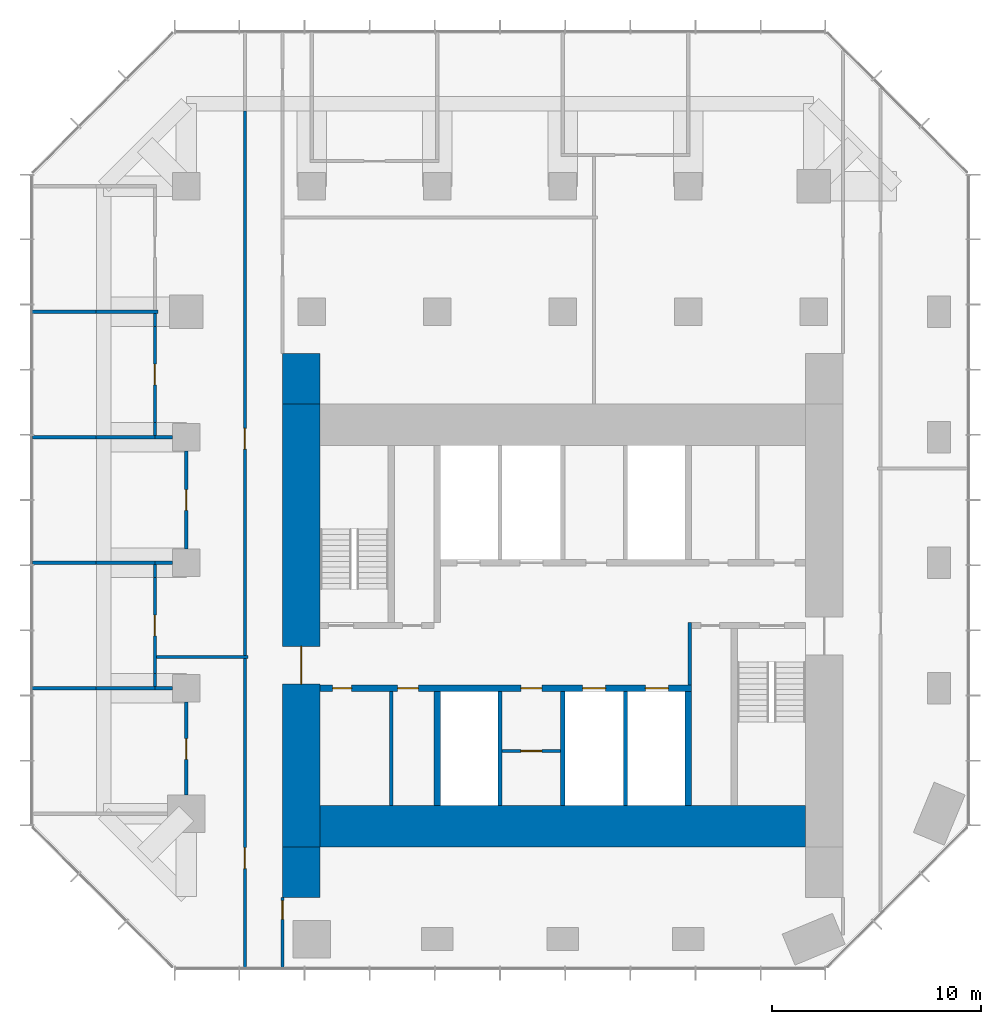
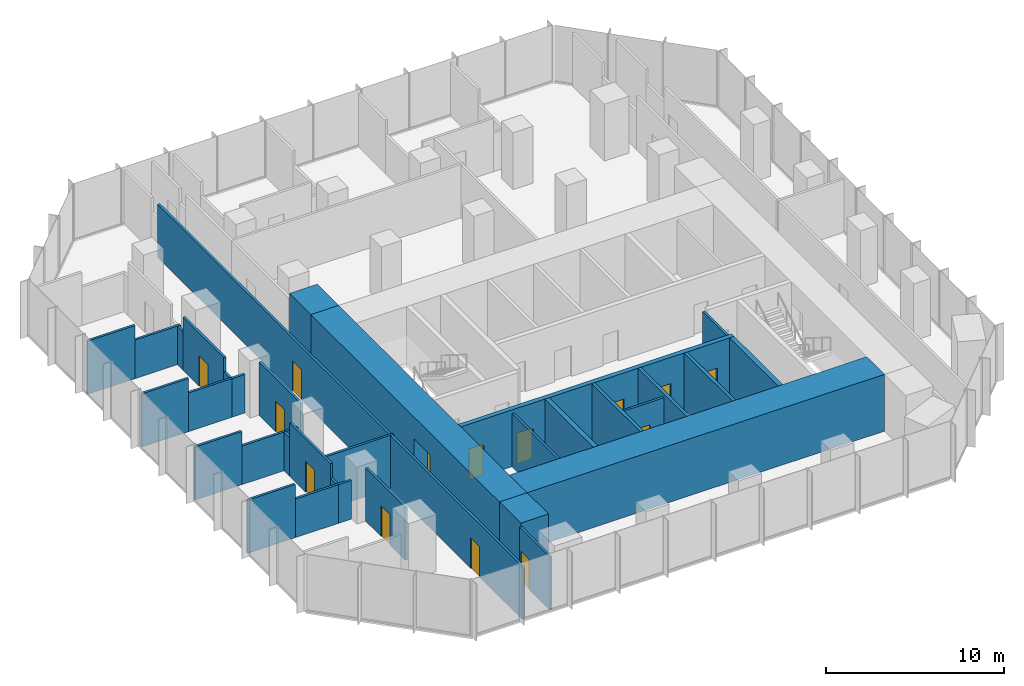
# One storey, part 8 of 11: 36 walls, 14 doors, 14 openings.
"""IFC4 building model written with IfcOpenShell, lengths in metres."""

import ifcopenshell
import ifcopenshell.guid

model = None  # the IFC model being written
_history = None  # IfcOwnerHistory: only IFC2X3 demands one
_inside = {}  # id of a spatial element -> (the spatial element, [elements in it])
_under = {}  # id of a project, library or spatial element -> (it, [spatial elements below it])
_declared = {}  # id of a project -> (the project, [libraries it declares])
_typed = {}  # id of a type object -> (the type object, [elements of that type])
_made_of = {}  # id of a material, layer set ... -> (it, [elements and type objects made of it])


def new_model(schema):
    """Start an empty IFC model of exactly this schema.

    Asked for "IFC4X3", IfcOpenShell would pick the latest addendum, in which some entities
    have other attributes; the version numbers below select the first issue.
    IFC2X3 requires an IfcOwnerHistory on every rooted entity: one is made here for all.
    """
    global model, _history
    if schema == "IFC4X3":
        model = ifcopenshell.file(schema_version=(4, 3, 0, 0))
    else:
        model = ifcopenshell.file(schema=schema)
    _inside.clear()
    _under.clear()
    _declared.clear()
    _typed.clear()
    _made_of.clear()
    _history = None
    if model.schema == "IFC2X3":
        org = make("IfcOrganization", Name="unknown")
        user = make(
            "IfcPersonAndOrganization",
            ThePerson=make("IfcPerson", FamilyName="unknown"),
            TheOrganization=org,
        )
        app = make(
            "IfcApplication",
            ApplicationDeveloper=org,
            Version="unknown",
            ApplicationFullName="unknown",
            ApplicationIdentifier="unknown",
        )
        _history = make(
            "IfcOwnerHistory",
            OwningUser=user,
            OwningApplication=app,
            ChangeAction="ADDED",
            CreationDate=0,
        )
    return model


def make(cls, **values):
    """One entity of the class cls with the attributes given. An attribute that is None is left unset."""
    return model.create_entity(
        cls, **{name: value for name, value in values.items() if value is not None}
    )


def rooted(cls, **values):
    """An entity with a GlobalId (a new one), such as an element, a storey or a relation."""
    return make(cls, GlobalId=ifcopenshell.guid.new(), OwnerHistory=_history, **values)


def si_unit(unit_type, name, prefix=None):
    """IfcSIUnit, for example si_unit("LENGTHUNIT", "METRE", prefix="MILLI")."""
    return make("IfcSIUnit", UnitType=unit_type, Prefix=prefix, Name=name)


def assignment(units):
    """IfcUnitAssignment: the units of a project."""
    return None if units is None else make("IfcUnitAssignment", Units=units)


def point(xyz):
    """IfcCartesianPoint."""
    return None if xyz is None else make("IfcCartesianPoint", Coordinates=xyz)


def direction(xyz):
    """IfcDirection."""
    return None if xyz is None else make("IfcDirection", DirectionRatios=xyz)


def frame(location, z_axis=None, x_axis=None):
    """IfcAxis2Placement3D, a coordinate frame: its origin and axes. An axis left out is left unset."""
    return make(
        "IfcAxis2Placement3D",
        Location=point(location),
        Axis=direction(z_axis),
        RefDirection=direction(x_axis),
    )


def frame_2d(location, x_axis=None):
    """IfcAxis2Placement2D, a coordinate frame in the plane: its origin and x axis."""
    return make(
        "IfcAxis2Placement2D", Location=point(location), RefDirection=direction(x_axis)
    )


def origin():
    """The frame at (0, 0, 0) with its axes left unset."""
    return frame((0.0, 0.0, 0.0))


def place(relative_to, where):
    """IfcLocalPlacement: puts the frame where relative to a parent placement (None: the world)."""
    return make(
        "IfcLocalPlacement", PlacementRelTo=relative_to, RelativePlacement=where
    )


def context(
    kind, dimensions, precision=None, world=None, true_north=None, identifier=None
):
    """IfcGeometricRepresentationContext, for example the 3D "Model" context."""
    return make(
        "IfcGeometricRepresentationContext",
        ContextIdentifier=identifier,
        ContextType=kind,
        CoordinateSpaceDimension=dimensions,
        Precision=precision,
        WorldCoordinateSystem=world,
        TrueNorth=true_north,
    )


def subcontext(parent, identifier, kind, view, scale=None):
    """IfcGeometricRepresentationSubContext, for example "Body" below "Model"."""
    return make(
        "IfcGeometricRepresentationSubContext",
        ContextIdentifier=identifier,
        ContextType=kind,
        ParentContext=parent,
        TargetScale=scale,
        TargetView=view,
    )


def project(units=None, contexts=None):
    """IfcProject with its units and contexts."""
    return rooted(
        "IfcProject",
        Name="project",
        RepresentationContexts=contexts,
        UnitsInContext=assignment(units),
    )


def spatial(cls, under=None, at=None, **own):
    """A site, building, storey or space (cls), placed at a placement, below another one or the project."""
    s = rooted(cls, ObjectPlacement=at, **own)
    if under is not None:
        _under.setdefault(under.id(), (under, []))[1].append(s)
    return s


def profile(cls, at=None, kind="AREA", **sizes):
    """A parametric profile (cls). Its sizes go by their IFC names, for example OverallWidth=200.0."""
    return make(cls, ProfileType=kind, Position=at, **sizes)


def rectangle(**sizes):
    """IfcRectangleProfileDef."""
    return profile("IfcRectangleProfileDef", **sizes)


def extrude(swept, where, along, depth):
    """IfcExtrudedAreaSolid: the profile swept, set in the frame where, extruded along a direction by depth."""
    return make(
        "IfcExtrudedAreaSolid",
        SweptArea=swept,
        Position=where,
        ExtrudedDirection=direction(along),
        Depth=depth,
    )


def shape(context_of_items, identifier, shape_type, items):
    """IfcShapeRepresentation: the items that make up one representation, for example the "Body"."""
    return make(
        "IfcShapeRepresentation",
        ContextOfItems=context_of_items,
        RepresentationIdentifier=identifier,
        RepresentationType=shape_type,
        Items=items,
    )


def material(Name=None, Category=None):
    """IfcMaterial."""
    return make("IfcMaterial", Name=Name, Category=Category)


def layer(
    of_material, thickness, ventilated=None, Name=None, Category=None, Priority=None
):
    """IfcMaterialLayer: one layer of a wall or slab, of a material (None: an air gap)."""
    return make(
        "IfcMaterialLayer",
        Material=of_material,
        LayerThickness=thickness,
        IsVentilated=ventilated,
        Name=Name,
        Category=Category,
        Priority=Priority,
    )


def layer_set(layers, Name=None):
    """IfcMaterialLayerSet."""
    return make("IfcMaterialLayerSet", MaterialLayers=layers, LayerSetName=Name)


def made_of(thing, what):
    """Note that an element or type object is made of a material, layer set ...; save() writes the relation."""
    if what is not None:
        _made_of.setdefault(what.id(), (what, []))[1].append(thing)
    return thing


def type_object(cls, material=None, **own):
    """A type object (cls), such as IfcWallType, which elements share."""
    return made_of(rooted(cls, **own), material)


def element(
    cls,
    number,
    at=None,
    inside=None,
    cuts=None,
    type_object=None,
    material=None,
    context=None,
    identifier="Body",
    shape_type=None,
    held_by="IfcProductDefinitionShape",
    body=None,
    shapes=None,
    **own,
):
    """One element of the class cls, such as IfcWall. Its Tag is "e" and its number.

    at: its placement. inside: the storey or other place that contains it. cuts: it is an
    opening in that element (IfcRelVoidsElement). A single representation is given by context,
    identifier, shape_type and body (its items); several are given by shapes. held_by: the class
    of the entity that holds the representations. save() writes the other relations.
    """
    e = rooted(cls, Tag="e%d" % number, ObjectPlacement=at, **own)
    if body is not None:
        shapes = [shape(context, identifier, shape_type, body)]
    if shapes is not None:
        e.Representation = make(held_by, Representations=shapes)
    if inside is not None:
        _inside.setdefault(inside.id(), (inside, []))[1].append(e)
    if cuts is not None:
        rooted(
            "IfcRelVoidsElement", RelatingBuildingElement=cuts, RelatedOpeningElement=e
        )
    if type_object is not None:
        _typed.setdefault(type_object.id(), (type_object, []))[1].append(e)
    return made_of(e, material)


def fill(opening, filler):
    """IfcRelFillsElement: the door or window that sits in an opening."""
    return rooted(
        "IfcRelFillsElement",
        RelatingOpeningElement=opening,
        RelatedBuildingElement=filler,
    )


def aggregate(whole, parts):
    """IfcRelAggregates: a whole, such as a stair, and the parts it consists of."""
    return rooted("IfcRelAggregates", RelatingObject=whole, RelatedObjects=parts)


def save(model, path):
    """Write the relations noted so far, then the file.

    IfcRelAggregates (storeys below a building ...), IfcRelContainedInSpatialStructure (elements
    in a storey), IfcRelDefinesByType, IfcRelAssociatesMaterial and IfcRelDeclares: one each for
    every whole, place, type object, material and project.
    """
    for whole, parts in _under.values():
        aggregate(whole, parts)
    for where, things in _inside.values():
        rooted(
            "IfcRelContainedInSpatialStructure",
            RelatedElements=things,
            RelatingStructure=where,
        )
    for kind, things in _typed.values():
        rooted("IfcRelDefinesByType", RelatedObjects=things, RelatingType=kind)
    for what, things in _made_of.values():
        rooted("IfcRelAssociatesMaterial", RelatedObjects=things, RelatingMaterial=what)
    for by, libraries in _declared.values():
        rooted("IfcRelDeclares", RelatingContext=by, RelatedDefinitions=libraries)
    model.write(path)


model = new_model("IFC4")

# Units and contexts
model_context = context("Model", 3, precision=1e-05, world=origin(), true_north=direction((0.0, 1.0)))
body_context = subcontext(model_context, "Body", "Model", "MODEL_VIEW")
ifc_project = project(units=[si_unit("LENGTHUNIT", "METRE"), si_unit("AREAUNIT", "SQUARE_METRE"), si_unit("VOLUMEUNIT", "CUBIC_METRE"), si_unit("PLANEANGLEUNIT", "RADIAN"), si_unit("MASSUNIT", "GRAM", prefix="KILO")], contexts=[model_context])

# Site, building, storey
site_placement = place(None, origin())
site = spatial("IfcSite", under=ifc_project, at=site_placement, CompositionType="ELEMENT")
building_placement = place(site_placement, origin())
building = spatial("IfcBuilding", under=site, at=building_placement, Name="Highveld Stack Headquarters", CompositionType="ELEMENT")
storey_placement = place(building_placement, frame((0.0, 0.0, 196.699951171875)))
storey = spatial("IfcBuildingStorey", under=building, at=storey_placement, Name="L48", CompositionType="ELEMENT", Elevation=196.699951171875)

# Wall, opening, door
ifc_material_1 = material(Name="Concrete C60/75", Category="concrete")
ifc_layer_1 = layer(ifc_material_1, 1.800048828125)
ifc_layer_set_1 = layer_set([ifc_layer_1], Name="Concrete C60/75")
wall_type_1 = type_object("IfcWallType", Name="CORE WALL 1800 C60/75", PredefinedType="SHEAR", material=ifc_layer_set_1)
wall_1_placement = place(storey_placement, frame((-6.5, -7.60009765625, 0.0), z_axis=(0.0, 0.0, 1.0), x_axis=(0.0, 1.0, 0.0)))
wall_1 = element("IfcWall", 1, at=wall_1_placement, inside=storey, type_object=wall_type_1, Name="Core wall W L48", PredefinedType="SHEAR", context=body_context, shape_type="SweptSolid", body=[
    extrude(rectangle(XDim=21.2001953125, YDim=1.800048828125, at=frame_2d((10.60009765625, 0.0))), origin(), (0.0, 0.0, 1.0), 3.900146484375),
])
opening_1_placement = place(wall_1_placement, frame((7.800048828125, 0.0, 0.0)))
opening_1 = element("IfcOpeningElement", 2, at=opening_1_placement, cuts=wall_1, Name="Opening L48-01", PredefinedType="OPENING", context=body_context, shape_type="SweptSolid", body=[
    extrude(rectangle(XDim=1.800048828125, YDim=2.39990234375, at=frame_2d((0.89990234375, 1.199951171875))), frame((0.0, 0.909912109375, 0.0), z_axis=(0.0, -1.0, 0.0), x_axis=(1.0, 0.0, 0.0)), (0.0, 0.0, 1.0), 1.820068359375),
])
ifc_material_2 = material(Name="Steel fire door", Category="steel")
door_type_1 = type_object("IfcDoorType", Name="LOBBY FIRE DOOR D4 1800x2400", OperationType="DOUBLE_DOOR_SINGLE_SWING", PredefinedType="DOOR", material=ifc_material_2)
door_1_placement = place(opening_1_placement, origin())
door_1 = element("IfcDoor", 3, at=door_1_placement, inside=storey, type_object=door_type_1, Name="Core west door L48", OperationType="DOUBLE_DOOR_SINGLE_SWING", OverallHeight=2.39990234375, OverallWidth=1.800048828125, PredefinedType="DOOR", context=body_context, shape_type="SweptSolid", body=[
    extrude(rectangle(XDim=1.800048828125, YDim=2.39990234375, at=frame_2d((0.89990234375, 1.199951171875))), frame((0.0, 0.02490234375, 0.0), z_axis=(0.0, -1.0, 0.0), x_axis=(1.0, 0.0, 0.0)), (0.0, 0.0, 1.0), 0.050048828125),
])
fill(opening_1, door_1)

# Wall
ifc_material_3 = material(Name="Concrete C60/75", Category="concrete")
ifc_layer_2 = layer(ifc_material_3, 2.0)
ifc_layer_set_2 = layer_set([ifc_layer_2], Name="Concrete C60/75")
wall_type_2 = type_object("IfcWallType", Name="CORE WALL 2000 C60/75", PredefinedType="SHEAR", material=ifc_layer_set_2)
wall_2_placement = place(storey_placement, frame((-5.60009765625, -6.60009765625, 0.0), z_axis=(0.0, 0.0, 1.0), x_axis=(1.0, 0.0, 0.0)))
element("IfcWall", 4, at=wall_2_placement, inside=storey, type_object=wall_type_2, Name="Core wall S L48", PredefinedType="SHEAR", context=body_context, shape_type="SweptSolid", body=[
    extrude(rectangle(XDim=23.2001953125, YDim=2.0, at=frame_2d((11.60009765625, 0.0))), origin(), (0.0, 0.0, 1.0), 3.900146484375),
])

# Wall, openings, doors
ifc_material_4 = material(Name="Concrete C60/75", Category="concrete")
ifc_layer_3 = layer(ifc_material_4, 0.300048828125)
ifc_layer_set_3 = layer_set([ifc_layer_3], Name="Concrete C60/75")
wall_type_3 = type_object("IfcWallType", Name="CORE WALL 300 C60/75", PredefinedType="SHEAR", material=ifc_layer_set_3)
wall_3_placement = place(storey_placement, frame((-5.60009765625, 0.0, 0.0), z_axis=(0.0, 0.0, 1.0), x_axis=(1.0, 0.0, 0.0)))
wall_3 = element("IfcWall", 5, at=wall_3_placement, inside=storey, type_object=wall_type_3, Name="Core wall I-Y0 L48", PredefinedType="SHEAR", context=body_context, shape_type="SweptSolid", body=[
    extrude(rectangle(XDim=17.75, YDim=0.300048828125, at=frame_2d((8.875, 0.0))), origin(), (0.0, 0.0, 1.0), 3.900146484375),
])
opening_2_placement = place(wall_3_placement, frame((0.60009765625, 0.0, 0.0)))
opening_2 = element("IfcOpeningElement", 6, at=opening_2_placement, cuts=wall_3, Name="Opening L48-07", PredefinedType="OPENING", context=body_context, shape_type="SweptSolid", body=[
    extrude(rectangle(XDim=0.89990234375, YDim=2.10009765625, at=frame_2d((0.449951171875, 1.050048828125))), frame((0.0, 0.159912109375, 0.0), z_axis=(0.0, -1.0, 0.0), x_axis=(1.0, 0.0, 0.0)), (0.0, 0.0, 1.0), 0.320068359375),
])
opening_3_placement = place(wall_3_placement, frame((3.699951171875, 0.0, 0.0)))
opening_3 = element("IfcOpeningElement", 7, at=opening_3_placement, cuts=wall_3, Name="Opening L48-08", PredefinedType="OPENING", context=body_context, shape_type="SweptSolid", body=[
    extrude(rectangle(XDim=1.0, YDim=2.10009765625, at=frame_2d((0.5, 1.050048828125))), frame((0.0, 0.159912109375, 0.0), z_axis=(0.0, -1.0, 0.0), x_axis=(1.0, 0.0, 0.0)), (0.0, 0.0, 1.0), 0.320068359375),
])
opening_4_placement = place(wall_3_placement, frame((9.60009765625, 0.0, 0.0)))
opening_4 = element("IfcOpeningElement", 8, at=opening_4_placement, cuts=wall_3, Name="Opening L48-13", PredefinedType="OPENING", context=body_context, shape_type="SweptSolid", body=[
    extrude(rectangle(XDim=1.0, YDim=2.10009765625, at=frame_2d((0.5, 1.050048828125))), frame((0.0, 0.159912109375, 0.0), z_axis=(0.0, -1.0, 0.0), x_axis=(1.0, 0.0, 0.0)), (0.0, 0.0, 1.0), 0.320068359375),
])
opening_5_placement = place(wall_3_placement, frame((12.550048828125, 0.0, 0.0)))
opening_5 = element("IfcOpeningElement", 9, at=opening_5_placement, cuts=wall_3, Name="Opening LD", PredefinedType="OPENING", context=body_context, shape_type="SweptSolid", body=[
    extrude(rectangle(XDim=1.10009765625, YDim=2.10009765625, at=frame_2d((0.550048828125, 1.050048828125))), frame((0.0, 0.159912109375, 0.0), z_axis=(0.0, -1.0, 0.0), x_axis=(1.0, 0.0, 0.0)), (0.0, 0.0, 1.0), 0.320068359375),
])
opening_6_placement = place(wall_3_placement, frame((15.550048828125, 0.0, 0.0)))
opening_6 = element("IfcOpeningElement", 10, at=opening_6_placement, cuts=wall_3, Name="Opening LD", PredefinedType="OPENING", context=body_context, shape_type="SweptSolid", body=[
    extrude(rectangle(XDim=1.10009765625, YDim=2.10009765625, at=frame_2d((0.550048828125, 1.050048828125))), frame((0.0, 0.159912109375, 0.0), z_axis=(0.0, -1.0, 0.0), x_axis=(1.0, 0.0, 0.0)), (0.0, 0.0, 1.0), 0.320068359375),
])
ifc_material_5 = material(Name="Steel fire door", Category="steel")
door_type_2 = type_object("IfcDoorType", Name="CORE ROOM FIRE DOOR D14 1000x2100", OperationType="SINGLE_SWING_LEFT", PredefinedType="DOOR", material=ifc_material_5)
door_2_placement = place(opening_3_placement, origin())
door_2 = element("IfcDoor", 11, at=door_2_placement, inside=storey, type_object=door_type_2, Name="Cleaners store door L48", OperationType="SINGLE_SWING_LEFT", OverallHeight=2.10009765625, OverallWidth=1.0, PredefinedType="DOOR", context=body_context, shape_type="SweptSolid", body=[
    extrude(rectangle(XDim=1.0, YDim=2.10009765625, at=frame_2d((0.5, 1.050048828125))), frame((0.0, 0.02490234375, 0.0), z_axis=(0.0, -1.0, 0.0), x_axis=(1.0, 0.0, 0.0)), (0.0, 0.0, 1.0), 0.050048828125),
])
fill(opening_3, door_2)
door_3_placement = place(opening_4_placement, origin())
door_3 = element("IfcDoor", 12, at=door_3_placement, inside=storey, type_object=door_type_2, Name="Capped B 1 door L48", OperationType="SINGLE_SWING_RIGHT", OverallHeight=2.10009765625, OverallWidth=1.0, PredefinedType="DOOR", context=body_context, shape_type="SweptSolid", body=[
    extrude(rectangle(XDim=1.0, YDim=2.10009765625, at=frame_2d((0.5, 1.050048828125))), frame((0.0, 0.02490234375, 0.0), z_axis=(0.0, -1.0, 0.0), x_axis=(1.0, 0.0, 0.0)), (0.0, 0.0, 1.0), 0.050048828125),
])
fill(opening_4, door_3)
ifc_material_6 = material(Name="Stainless steel lift landing door", Category="steel")
door_type_3 = type_object("IfcDoorType", Name="LIFT LANDING DOOR LD 1100x2100", OperationType="DOUBLE_DOOR_SLIDING", PredefinedType="USERDEFINED", material=ifc_material_6)
door_4_placement = place(opening_5_placement, origin())
door_4 = element("IfcDoor", 13, at=door_4_placement, inside=storey, type_object=door_type_3, Name="Lift landing door C1 L48", ObjectType="LIFT LANDING DOOR", OperationType="DOUBLE_DOOR_SLIDING", OverallHeight=2.10009765625, OverallWidth=1.10009765625, PredefinedType="USERDEFINED", context=body_context, shape_type="SweptSolid", body=[
    extrude(rectangle(XDim=1.10009765625, YDim=2.10009765625, at=frame_2d((0.550048828125, 1.050048828125))), frame((0.0, 0.02490234375, 0.0), z_axis=(0.0, -1.0, 0.0), x_axis=(1.0, 0.0, 0.0)), (0.0, 0.0, 1.0), 0.050048828125),
])
fill(opening_5, door_4)
door_5_placement = place(opening_6_placement, origin())
door_5 = element("IfcDoor", 14, at=door_5_placement, inside=storey, type_object=door_type_3, Name="Lift landing door C2 L48", ObjectType="LIFT LANDING DOOR", OperationType="DOUBLE_DOOR_SLIDING", OverallHeight=2.10009765625, OverallWidth=1.10009765625, PredefinedType="USERDEFINED", context=body_context, shape_type="SweptSolid", body=[
    extrude(rectangle(XDim=1.10009765625, YDim=2.10009765625, at=frame_2d((0.550048828125, 1.050048828125))), frame((0.0, 0.02490234375, 0.0), z_axis=(0.0, -1.0, 0.0), x_axis=(1.0, 0.0, 0.0)), (0.0, 0.0, 1.0), 0.050048828125),
])
fill(opening_6, door_5)
ifc_material_7 = material(Name="Timber door, painted", Category="wood")
door_type_4 = type_object("IfcDoorType", Name="WC DOOR D1 900x2100", OperationType="SINGLE_SWING_LEFT", PredefinedType="DOOR", material=ifc_material_7)
door_6_placement = place(opening_2_placement, origin())
door_6 = element("IfcDoor", 15, at=door_6_placement, inside=storey, type_object=door_type_4, Name="Female WC door L48", OperationType="SINGLE_SWING_LEFT", OverallHeight=2.10009765625, OverallWidth=0.89990234375, PredefinedType="DOOR", context=body_context, shape_type="SweptSolid", body=[
    extrude(rectangle(XDim=0.89990234375, YDim=2.10009765625, at=frame_2d((0.449951171875, 1.050048828125))), frame((0.0, 0.02490234375, 0.0), z_axis=(0.0, -1.0, 0.0), x_axis=(1.0, 0.0, 0.0)), (0.0, 0.0, 1.0), 0.050048828125),
])
fill(opening_2, door_6)

# Walls
for number, where, z_axis, x_axis, name in (
    (16, (0.0, -5.60009765625, 0.0), (0.0, 0.0, 1.0), (0.0, 1.0, 0.0), "Core wall I-X0S L48"),
    (17, (12.0, -5.60009765625, 0.0), (0.0, 0.0, 1.0), (0.0, 1.0, 0.0), "Core wall I-X12S L48"),
):
    element("IfcWall", number, at=place(storey_placement, frame(where, z_axis=z_axis, x_axis=x_axis)), inside=storey, type_object=wall_type_3, Name=name, PredefinedType="SHEAR", context=body_context, shape_type="SweptSolid", body=[
        extrude(rectangle(XDim=5.4501953125, YDim=0.300048828125, at=frame_2d((2.72509765625, 0.0))), origin(), (0.0, 0.0, 1.0), 3.900146484375),
    ])
ifc_material_8 = material(Name="Concrete C60/75", Category="concrete")
ifc_layer_4 = layer(ifc_material_8, 1.800048828125)
ifc_layer_set_4 = layer_set([ifc_layer_4], Name="Concrete C60/75")
wall_type_4 = type_object("IfcWallType", Name="CORE WING WALL 1800 C60/75", PredefinedType="SHEAR", material=ifc_layer_set_4)
for number, where, z_axis, x_axis, name in (
    (18, (-6.5, -10.0, 0.0), (0.0, 0.0, 1.0), (0.0, 1.0, 0.0), "Core wing wall WS L48"),
    (19, (-6.5, 13.60009765625, 0.0), (0.0, 0.0, 1.0), (0.0, 1.0, 0.0), "Core wing wall WN L48"),
):
    element("IfcWall", number, at=place(storey_placement, frame(where, z_axis=z_axis, x_axis=x_axis)), inside=storey, type_object=wall_type_4, Name=name, PredefinedType="SHEAR", context=body_context, shape_type="SweptSolid", body=[
        extrude(rectangle(XDim=2.39990234375, YDim=1.800048828125, at=frame_2d((1.199951171875, 0.0))), origin(), (0.0, 0.0, 1.0), 3.900146484375),
    ])

# Wall, opening, door
ifc_material_9 = material(Name="Concrete blockwork, plastered", Category="masonry")
ifc_layer_5 = layer(ifc_material_9, 0.14990234375)
ifc_layer_set_5 = layer_set([ifc_layer_5], Name="Concrete blockwork, plastered")
wall_type_5 = type_object("IfcWallType", Name="FIRE PARTITION 150 BLOCKWORK", PredefinedType="PARTITIONING", material=ifc_layer_set_5)
wall_4_placement = place(storey_placement, frame((3.10009765625, -3.0, 0.0), z_axis=(0.0, 0.0, 1.0), x_axis=(1.0, 0.0, 0.0)))
wall_4 = element("IfcWall", 20, at=wall_4_placement, inside=storey, type_object=wall_type_5, Name="Core room partition L48", PredefinedType="PARTITIONING", context=body_context, shape_type="SweptSolid", body=[
    extrude(rectangle(XDim=2.7998046875, YDim=0.14990234375, at=frame_2d((1.39990234375, 0.0))), origin(), (0.0, 0.0, 1.0), 3.650146484375),
])
opening_7_placement = place(wall_4_placement, frame((0.89990234375, 0.0, 0.0)))
opening_7 = element("IfcOpeningElement", 21, at=opening_7_placement, cuts=wall_4, Name="Opening L48-12", PredefinedType="OPENING", context=body_context, shape_type="SweptSolid", body=[
    extrude(rectangle(XDim=1.0, YDim=2.10009765625, at=frame_2d((0.5, 1.050048828125))), frame((0.0, 0.0849609375, 0.0), z_axis=(0.0, -1.0, 0.0), x_axis=(1.0, 0.0, 0.0)), (0.0, 0.0, 1.0), 0.169921875),
])
door_7_placement = place(opening_7_placement, origin())
door_7 = element("IfcDoor", 22, at=door_7_placement, inside=storey, type_object=door_type_2, Name="Capped B 2 door L48", OperationType="SINGLE_SWING_RIGHT", OverallHeight=2.10009765625, OverallWidth=1.0, PredefinedType="DOOR", context=body_context, shape_type="SweptSolid", body=[
    extrude(rectangle(XDim=1.0, YDim=2.10009765625, at=frame_2d((0.5, 1.050048828125))), frame((0.0, 0.02490234375, 0.0), z_axis=(0.0, -1.0, 0.0), x_axis=(1.0, 0.0, 0.0)), (0.0, 0.0, 1.0), 0.050048828125),
])
fill(opening_7, door_7)

# Walls
wall_5_placement = place(storey_placement, frame((12.074951171875, 0.14990234375, 0.0), z_axis=(0.0, 0.0, 1.0), x_axis=(0.0, 1.0, 0.0)))
element("IfcWall", 23, at=wall_5_placement, inside=storey, type_object=wall_type_5, Name="Riser R2 enclosure L48", PredefinedType="PARTITIONING", context=body_context, shape_type="SweptSolid", body=[
    extrude(rectangle(XDim=3.0, YDim=0.14990234375, at=frame_2d((1.5, 0.0))), origin(), (0.0, 0.0, 1.0), 3.650146484375),
])
ifc_material_10 = material(Name="Concrete blockwork, fair-faced", Category="masonry")
ifc_layer_6 = layer(ifc_material_10, 0.199951171875)
ifc_layer_set_6 = layer_set([ifc_layer_6], Name="Concrete blockwork, fair-faced")
wall_type_6 = type_object("IfcWallType", Name="LIFT SHAFT ENCLOSURE WALL 200 BLOCKWORK", PredefinedType="SOLIDWALL", material=ifc_layer_set_6)
for number, where, z_axis, x_axis, name in (
    (24, (3.0, -5.60009765625, 0.0), (0.0, 0.0, 1.0), (0.0, 1.0, 0.0), "Lift shaft wall L48"),
    (25, (6.0, -5.60009765625, 0.0), (0.0, 0.0, 1.0), (0.0, 1.0, 0.0), "Lift shaft wall L48"),
    (26, (9.0, -5.60009765625, 0.0), (0.0, 0.0, 1.0), (0.0, 1.0, 0.0), "Lift shaft wall L48"),
):
    element("IfcWall", number, at=place(storey_placement, frame(where, z_axis=z_axis, x_axis=x_axis)), inside=storey, type_object=wall_type_6, Name=name, PredefinedType="SOLIDWALL", context=body_context, shape_type="SweptSolid", body=[
        extrude(rectangle(XDim=5.4501953125, YDim=0.199951171875, at=frame_2d((2.72509765625, 0.0))), origin(), (0.0, 0.0, 1.0), 3.900146484375),
    ])
ifc_material_11 = material(Name="Gypsum plasterboard on steel studs", Category="steel")
ifc_layer_7 = layer(ifc_material_11, 0.14990234375)
ifc_layer_set_7 = layer_set([ifc_layer_7], Name="Gypsum plasterboard on steel studs")
wall_type_7 = type_object("IfcWallType", Name="PARTITION 150 PLASTERBOARD", PredefinedType="PARTITIONING", material=ifc_layer_set_7)
wall_6_placement = place(storey_placement, frame((-19.39990234375, 0.0, 0.0), z_axis=(0.0, 0.0, 1.0), x_axis=(1.0, 0.0, 0.0)))
element("IfcWall", 27, at=wall_6_placement, inside=storey, type_object=wall_type_7, Name="Partition Office / Quiet room L48", PredefinedType="PARTITIONING", context=body_context, shape_type="SweptSolid", body=[
    extrude(rectangle(XDim=3.08984375, YDim=0.14990234375, at=frame_2d((1.544921875, 0.0))), origin(), (0.0, 0.0, 1.0), 3.650146484375),
])
wall_7_placement = place(storey_placement, frame((-16.31005859375, 0.0, 0.0), z_axis=(0.0, 0.0, 1.0), x_axis=(1.0, 0.0, 0.0)))
element("IfcWall", 28, at=wall_7_placement, inside=storey, type_object=wall_type_7, Name="Partition Office / Quiet room L48", PredefinedType="PARTITIONING", context=body_context, shape_type="SweptSolid", body=[
    extrude(rectangle(XDim=2.885009765625, YDim=0.14990234375, at=frame_2d((1.4423828125, 0.0))), origin(), (0.0, 0.0, 1.0), 2.650146484375),
])
wall_8_placement = place(storey_placement, frame((-13.5, 0.0, 0.0), z_axis=(0.0, 0.0, 1.0), x_axis=(1.0, 0.0, 0.0)))
element("IfcWall", 29, at=wall_8_placement, inside=storey, type_object=wall_type_7, Name="Partition Office L48", PredefinedType="PARTITIONING", context=body_context, shape_type="SweptSolid", body=[
    extrude(rectangle(XDim=0.85009765625, YDim=0.14990234375, at=frame_2d((0.425048828125, 0.0))), origin(), (0.0, 0.0, 1.0), 2.650146484375),
])
wall_9_placement = place(storey_placement, frame((-19.35009765625, 6.0, 0.0), z_axis=(0.0, 0.0, 1.0), x_axis=(1.0, 0.0, 0.0)))
element("IfcWall", 30, at=wall_9_placement, inside=storey, type_object=wall_type_7, Name="Partition Office / Quiet room L48", PredefinedType="PARTITIONING", context=body_context, shape_type="SweptSolid", body=[
    extrude(rectangle(XDim=3.0400390625, YDim=0.14990234375, at=frame_2d((1.52001953125, 0.0))), origin(), (0.0, 0.0, 1.0), 3.650146484375),
])
wall_10_placement = place(storey_placement, frame((-16.31005859375, 6.0, 0.0), z_axis=(0.0, 0.0, 1.0), x_axis=(1.0, 0.0, 0.0)))
element("IfcWall", 31, at=wall_10_placement, inside=storey, type_object=wall_type_7, Name="Partition Office / Quiet room L48", PredefinedType="PARTITIONING", context=body_context, shape_type="SweptSolid", body=[
    extrude(rectangle(XDim=2.885009765625, YDim=0.14990234375, at=frame_2d((1.4423828125, 0.0))), origin(), (0.0, 0.0, 1.0), 2.650146484375),
])
wall_11_placement = place(storey_placement, frame((-13.5, 6.0, 0.0), z_axis=(0.0, 0.0, 1.0), x_axis=(1.0, 0.0, 0.0)))
element("IfcWall", 32, at=wall_11_placement, inside=storey, type_object=wall_type_7, Name="Partition Office L48", PredefinedType="PARTITIONING", context=body_context, shape_type="SweptSolid", body=[
    extrude(rectangle(XDim=0.85009765625, YDim=0.14990234375, at=frame_2d((0.425048828125, 0.0))), origin(), (0.0, 0.0, 1.0), 2.650146484375),
])
wall_12_placement = place(storey_placement, frame((-19.35009765625, 12.0, 0.0), z_axis=(0.0, 0.0, 1.0), x_axis=(1.0, 0.0, 0.0)))
element("IfcWall", 33, at=wall_12_placement, inside=storey, type_object=wall_type_7, Name="Partition Office / Quiet room L48", PredefinedType="PARTITIONING", context=body_context, shape_type="SweptSolid", body=[
    extrude(rectangle(XDim=3.0400390625, YDim=0.14990234375, at=frame_2d((1.52001953125, 0.0))), origin(), (0.0, 0.0, 1.0), 3.650146484375),
])
wall_13_placement = place(storey_placement, frame((-16.31005859375, 12.0, 0.0), z_axis=(0.0, 0.0, 1.0), x_axis=(1.0, 0.0, 0.0)))
element("IfcWall", 34, at=wall_13_placement, inside=storey, type_object=wall_type_7, Name="Partition Office / Quiet room L48", PredefinedType="PARTITIONING", context=body_context, shape_type="SweptSolid", body=[
    extrude(rectangle(XDim=2.885009765625, YDim=0.14990234375, at=frame_2d((1.4423828125, 0.0))), origin(), (0.0, 0.0, 1.0), 2.650146484375),
])
wall_14_placement = place(storey_placement, frame((-13.5, 12.0, 0.0), z_axis=(0.0, 0.0, 1.0), x_axis=(1.0, 0.0, 0.0)))
element("IfcWall", 35, at=wall_14_placement, inside=storey, type_object=wall_type_7, Name="Partition Office L48", PredefinedType="PARTITIONING", context=body_context, shape_type="SweptSolid", body=[
    extrude(rectangle(XDim=0.85009765625, YDim=0.14990234375, at=frame_2d((0.425048828125, 0.0))), origin(), (0.0, 0.0, 1.0), 2.650146484375),
])
wall_15_placement = place(storey_placement, frame((-19.39990234375, 18.0, 0.0), z_axis=(0.0, 0.0, 1.0), x_axis=(1.0, 0.0, 0.0)))
element("IfcWall", 36, at=wall_15_placement, inside=storey, type_object=wall_type_7, Name="Partition Quiet room L48", PredefinedType="PARTITIONING", context=body_context, shape_type="SweptSolid", body=[
    extrude(rectangle(XDim=3.08984375, YDim=0.14990234375, at=frame_2d((1.544921875, 0.0))), origin(), (0.0, 0.0, 1.0), 3.650146484375),
])
wall_16_placement = place(storey_placement, frame((-16.31005859375, 18.0, 0.0), z_axis=(0.0, 0.0, 1.0), x_axis=(1.0, 0.0, 0.0)))
element("IfcWall", 37, at=wall_16_placement, inside=storey, type_object=wall_type_7, Name="Partition Quiet room L48", PredefinedType="PARTITIONING", context=body_context, shape_type="SweptSolid", body=[
    extrude(rectangle(XDim=2.9599609375, YDim=0.14990234375, at=frame_2d((1.47998046875, 0.0))), origin(), (0.0, 0.0, 1.0), 2.650146484375),
])
wall_17_placement = place(storey_placement, frame((-13.5, 0.074951171875, 0.0), z_axis=(0.0, 0.0, 1.0), x_axis=(0.0, 1.0, 0.0)))
element("IfcWall", 38, at=wall_17_placement, inside=storey, type_object=wall_type_7, Name="Partition Quiet room L48", PredefinedType="PARTITIONING", context=body_context, shape_type="SweptSolid", body=[
    extrude(rectangle(XDim=0.635009765625, YDim=0.14990234375, at=frame_2d((0.3173828125, 0.0))), origin(), (0.0, 0.0, 1.0), 2.650146484375),
])

# Wall, opening, door
wall_18_placement = place(storey_placement, frame((-13.5, 0.7099609375, 0.0), z_axis=(0.0, 0.0, 1.0), x_axis=(0.0, 1.0, 0.0)))
wall_18 = element("IfcWall", 39, at=wall_18_placement, inside=storey, type_object=wall_type_7, Name="Partition Quiet room L48", PredefinedType="PARTITIONING", context=body_context, shape_type="SweptSolid", body=[
    extrude(rectangle(XDim=4.580078125, YDim=0.14990234375, at=frame_2d((2.2900390625, 0.0))), origin(), (0.0, 0.0, 1.0), 3.650146484375),
])
opening_8_placement = place(wall_18_placement, frame((1.7900390625, 0.0, 0.0)))
opening_8 = element("IfcOpeningElement", 40, at=opening_8_placement, cuts=wall_18, Name="Opening L48-15", PredefinedType="OPENING", context=body_context, shape_type="SweptSolid", body=[
    extrude(rectangle(XDim=1.0, YDim=2.10009765625, at=frame_2d((0.5, 1.050048828125))), frame((0.0, 0.0849609375, 0.0), z_axis=(0.0, -1.0, 0.0), x_axis=(1.0, 0.0, 0.0)), (0.0, 0.0, 1.0), 0.169921875),
])
ifc_material_12 = material(Name="Timber door, oiled ash", Category="wood")
door_type_5 = type_object("IfcDoorType", Name="ROOM DOOR D6 1000x2100", OperationType="SINGLE_SWING_LEFT", PredefinedType="DOOR", material=ifc_material_12)
door_8_placement = place(opening_8_placement, origin())
door_8 = element("IfcDoor", 41, at=door_8_placement, inside=storey, type_object=door_type_5, Name="Quiet room door 1 L48", OperationType="SINGLE_SWING_RIGHT", OverallHeight=2.10009765625, OverallWidth=1.0, PredefinedType="DOOR", context=body_context, shape_type="SweptSolid", body=[
    extrude(rectangle(XDim=1.0, YDim=2.10009765625, at=frame_2d((0.5, 1.050048828125))), frame((0.0, 0.02490234375, 0.0), z_axis=(0.0, -1.0, 0.0), x_axis=(1.0, 0.0, 0.0)), (0.0, 0.0, 1.0), 0.050048828125),
])
fill(opening_8, door_8)

# Walls
for number, where, z_axis, x_axis, name in (
    (42, (-13.5, 5.2900390625, 0.0), (0.0, 0.0, 1.0), (0.0, 1.0, 0.0), "Partition Quiet room L48"),
    (43, (-13.5, 12.074951171875, 0.0), (0.0, 0.0, 1.0), (0.0, 1.0, 0.0), "Partition Quiet room L48"),
):
    element("IfcWall", number, at=place(storey_placement, frame(where, z_axis=z_axis, x_axis=x_axis)), inside=storey, type_object=wall_type_7, Name=name, PredefinedType="PARTITIONING", context=body_context, shape_type="SweptSolid", body=[
        extrude(rectangle(XDim=0.635009765625, YDim=0.14990234375, at=frame_2d((0.3173828125, 0.0))), origin(), (0.0, 0.0, 1.0), 2.650146484375),
    ])

# Wall, opening, door
wall_19_placement = place(storey_placement, frame((-13.5, 12.7099609375, 0.0), z_axis=(0.0, 0.0, 1.0), x_axis=(0.0, 1.0, 0.0)))
wall_19 = element("IfcWall", 44, at=wall_19_placement, inside=storey, type_object=wall_type_7, Name="Partition Quiet room L48", PredefinedType="PARTITIONING", context=body_context, shape_type="SweptSolid", body=[
    extrude(rectangle(XDim=4.580078125, YDim=0.14990234375, at=frame_2d((2.2900390625, 0.0))), origin(), (0.0, 0.0, 1.0), 3.650146484375),
])
opening_9_placement = place(wall_19_placement, frame((1.7900390625, 0.0, 0.0)))
opening_9 = element("IfcOpeningElement", 45, at=opening_9_placement, cuts=wall_19, Name="Opening L48-17", PredefinedType="OPENING", context=body_context, shape_type="SweptSolid", body=[
    extrude(rectangle(XDim=1.0, YDim=2.10009765625, at=frame_2d((0.5, 1.050048828125))), frame((0.0, 0.0849609375, 0.0), z_axis=(0.0, -1.0, 0.0), x_axis=(1.0, 0.0, 0.0)), (0.0, 0.0, 1.0), 0.169921875),
])
door_9_placement = place(opening_9_placement, origin())
door_9 = element("IfcDoor", 46, at=door_9_placement, inside=storey, type_object=door_type_5, Name="Quiet room door 1 L48", OperationType="SINGLE_SWING_LEFT", OverallHeight=2.10009765625, OverallWidth=1.0, PredefinedType="DOOR", context=body_context, shape_type="SweptSolid", body=[
    extrude(rectangle(XDim=1.0, YDim=2.10009765625, at=frame_2d((0.5, 1.050048828125))), frame((0.0, 0.02490234375, 0.0), z_axis=(0.0, -1.0, 0.0), x_axis=(1.0, 0.0, 0.0)), (0.0, 0.0, 1.0), 0.050048828125),
])
fill(opening_9, door_9)

# Wall
wall_20_placement = place(storey_placement, frame((-13.5, 17.2900390625, 0.0), z_axis=(0.0, 0.0, 1.0), x_axis=(0.0, 1.0, 0.0)))
element("IfcWall", 47, at=wall_20_placement, inside=storey, type_object=wall_type_7, Name="Partition Quiet room L48", PredefinedType="PARTITIONING", context=body_context, shape_type="SweptSolid", body=[
    extrude(rectangle(XDim=0.635009765625, YDim=0.14990234375, at=frame_2d((0.3173828125, 0.0))), origin(), (0.0, 0.0, 1.0), 2.650146484375),
])

# Wall, opening, door
wall_21_placement = place(storey_placement, frame((-12.0, -5.10009765625, 0.0), z_axis=(0.0, 0.0, 1.0), x_axis=(0.0, 1.0, 0.0)))
wall_21 = element("IfcWall", 48, at=wall_21_placement, inside=storey, type_object=wall_type_7, Name="Partition Office L48", PredefinedType="PARTITIONING", context=body_context, shape_type="SweptSolid", body=[
    extrude(rectangle(XDim=4.440185546875, YDim=0.14990234375, at=frame_2d((2.22021484375, 0.0))), origin(), (0.0, 0.0, 1.0), 3.650146484375),
])
opening_10_placement = place(wall_21_placement, frame((1.695068359375, 0.0, 0.0)))
opening_10 = element("IfcOpeningElement", 49, at=opening_10_placement, cuts=wall_21, Name="Opening L48-14", PredefinedType="OPENING", context=body_context, shape_type="SweptSolid", body=[
    extrude(rectangle(XDim=1.0, YDim=2.10009765625, at=frame_2d((0.5, 1.050048828125))), frame((0.0, 0.0849609375, 0.0), z_axis=(0.0, -1.0, 0.0), x_axis=(1.0, 0.0, 0.0)), (0.0, 0.0, 1.0), 0.169921875),
])
door_10_placement = place(opening_10_placement, origin())
door_10 = element("IfcDoor", 50, at=door_10_placement, inside=storey, type_object=door_type_5, Name="Office door 1 L48", OperationType="SINGLE_SWING_LEFT", OverallHeight=2.10009765625, OverallWidth=1.0, PredefinedType="DOOR", context=body_context, shape_type="SweptSolid", body=[
    extrude(rectangle(XDim=1.0, YDim=2.10009765625, at=frame_2d((0.5, 1.050048828125))), frame((0.0, 0.02490234375, 0.0), z_axis=(0.0, -1.0, 0.0), x_axis=(1.0, 0.0, 0.0)), (0.0, 0.0, 1.0), 0.050048828125),
])
fill(opening_10, door_10)

wall_22_placement = place(storey_placement, frame((-12.0, 6.659912109375, 0.0), z_axis=(0.0, 0.0, 1.0), x_axis=(0.0, 1.0, 0.0)))
wall_22 = element("IfcWall", 51, at=wall_22_placement, inside=storey, type_object=wall_type_7, Name="Partition Office L48", PredefinedType="PARTITIONING", context=body_context, shape_type="SweptSolid", body=[
    extrude(rectangle(XDim=4.68017578125, YDim=0.14990234375, at=frame_2d((2.340087890625, 0.0))), origin(), (0.0, 0.0, 1.0), 3.650146484375),
])
opening_11_placement = place(wall_22_placement, frame((1.840087890625, 0.0, 0.0)))
opening_11 = element("IfcOpeningElement", 52, at=opening_11_placement, cuts=wall_22, Name="Opening L48-16", PredefinedType="OPENING", context=body_context, shape_type="SweptSolid", body=[
    extrude(rectangle(XDim=1.0, YDim=2.10009765625, at=frame_2d((0.5, 1.050048828125))), frame((0.0, 0.0849609375, 0.0), z_axis=(0.0, -1.0, 0.0), x_axis=(1.0, 0.0, 0.0)), (0.0, 0.0, 1.0), 0.169921875),
])
door_11_placement = place(opening_11_placement, origin())
door_11 = element("IfcDoor", 53, at=door_11_placement, inside=storey, type_object=door_type_5, Name="Office door 1 L48", OperationType="SINGLE_SWING_LEFT", OverallHeight=2.10009765625, OverallWidth=1.0, PredefinedType="DOOR", context=body_context, shape_type="SweptSolid", body=[
    extrude(rectangle(XDim=1.0, YDim=2.10009765625, at=frame_2d((0.5, 1.050048828125))), frame((0.0, 0.02490234375, 0.0), z_axis=(0.0, -1.0, 0.0), x_axis=(1.0, 0.0, 0.0)), (0.0, 0.0, 1.0), 0.050048828125),
])
fill(opening_11, door_11)

# Wall
wall_23_placement = place(storey_placement, frame((-13.425048828125, 1.5, 0.0), z_axis=(0.0, 0.0, 1.0), x_axis=(1.0, 0.0, 0.0)))
element("IfcWall", 54, at=wall_23_placement, inside=storey, type_object=wall_type_7, Name="Partition office neighbourhood L48", PredefinedType="PARTITIONING", context=body_context, shape_type="SweptSolid", body=[
    extrude(rectangle(XDim=4.375, YDim=0.14990234375, at=frame_2d((2.1875, 0.0))), origin(), (0.0, 0.0, 1.0), 3.650146484375),
])

# Wall, opening, door
wall_24_placement = place(storey_placement, frame((-9.199951171875, -13.39990234375, 0.0), z_axis=(0.0, 0.0, 1.0), x_axis=(0.0, 1.0, 0.0)))
wall_24 = element("IfcWall", 55, at=wall_24_placement, inside=storey, type_object=wall_type_7, Name="Partition office neighbourhood L48", PredefinedType="PARTITIONING", context=body_context, shape_type="SweptSolid", body=[
    extrude(rectangle(XDim=14.824951171875, YDim=0.14990234375, at=frame_2d((7.41259765625, 0.0))), origin(), (0.0, 0.0, 1.0), 3.650146484375),
])
opening_12_placement = place(wall_24_placement, frame((4.780029296875, 0.0, 0.0)))
opening_12 = element("IfcOpeningElement", 56, at=opening_12_placement, cuts=wall_24, Name="Opening L48-21", PredefinedType="OPENING", context=body_context, shape_type="SweptSolid", body=[
    extrude(rectangle(XDim=1.0, YDim=2.10009765625, at=frame_2d((0.5, 1.050048828125))), frame((0.0, 0.0849609375, 0.0), z_axis=(0.0, -1.0, 0.0), x_axis=(1.0, 0.0, 0.0)), (0.0, 0.0, 1.0), 0.169921875),
])
door_12_placement = place(opening_12_placement, origin())
door_12 = element("IfcDoor", 57, at=door_12_placement, inside=storey, type_object=door_type_5, Name="Office neighbourhood door L48", OperationType="SINGLE_SWING_LEFT", OverallHeight=2.10009765625, OverallWidth=1.0, PredefinedType="DOOR", context=body_context, shape_type="SweptSolid", body=[
    extrude(rectangle(XDim=1.0, YDim=2.10009765625, at=frame_2d((0.5, 1.050048828125))), frame((0.0, 0.02490234375, 0.0), z_axis=(0.0, -1.0, 0.0), x_axis=(1.0, 0.0, 0.0)), (0.0, 0.0, 1.0), 0.050048828125),
])
fill(opening_12, door_12)

wall_25_placement = place(storey_placement, frame((-9.199951171875, 1.574951171875, 0.0), z_axis=(0.0, 0.0, 1.0), x_axis=(0.0, 1.0, 0.0)))
wall_25 = element("IfcWall", 58, at=wall_25_placement, inside=storey, type_object=wall_type_7, Name="Partition office neighbourhood L48", PredefinedType="PARTITIONING", context=body_context, shape_type="SweptSolid", body=[
    extrude(rectangle(XDim=26.01513671875, YDim=0.14990234375, at=frame_2d((13.007568359375, 0.0))), origin(), (0.0, 0.0, 1.0), 3.650146484375),
])
opening_13_placement = place(wall_25_placement, frame((9.85498046875, 0.0, 0.0)))
opening_13 = element("IfcOpeningElement", 59, at=opening_13_placement, cuts=wall_25, Name="Opening L48-24", PredefinedType="OPENING", context=body_context, shape_type="SweptSolid", body=[
    extrude(rectangle(XDim=1.0, YDim=2.10009765625, at=frame_2d((0.5, 1.050048828125))), frame((0.0, 0.0849609375, 0.0), z_axis=(0.0, -1.0, 0.0), x_axis=(1.0, 0.0, 0.0)), (0.0, 0.0, 1.0), 0.169921875),
])
door_13_placement = place(opening_13_placement, origin())
door_13 = element("IfcDoor", 60, at=door_13_placement, inside=storey, type_object=door_type_5, Name="Office neighbourhood door L48", OperationType="SINGLE_SWING_LEFT", OverallHeight=2.10009765625, OverallWidth=1.0, PredefinedType="DOOR", context=body_context, shape_type="SweptSolid", body=[
    extrude(rectangle(XDim=1.0, YDim=2.10009765625, at=frame_2d((0.5, 1.050048828125))), frame((0.0, 0.02490234375, 0.0), z_axis=(0.0, -1.0, 0.0), x_axis=(1.0, 0.0, 0.0)), (0.0, 0.0, 1.0), 0.050048828125),
])
fill(opening_13, door_13)

wall_26_placement = place(storey_placement, frame((-7.39990234375, -13.39990234375, 0.0), z_axis=(0.0, 0.0, 1.0), x_axis=(0.0, 1.0, 0.0)))
wall_26 = element("IfcWall", 61, at=wall_26_placement, inside=storey, type_object=wall_type_7, Name="Partition office neighbourhood L48", PredefinedType="PARTITIONING", context=body_context, shape_type="SweptSolid", body=[
    extrude(rectangle(XDim=3.39990234375, YDim=0.14990234375, at=frame_2d((1.699951171875, 0.0))), origin(), (0.0, 0.0, 1.0), 3.650146484375),
])
opening_14_placement = place(wall_26_placement, frame((2.35009765625, 0.0, 0.0)))
opening_14 = element("IfcOpeningElement", 62, at=opening_14_placement, cuts=wall_26, Name="Opening L48-28", PredefinedType="OPENING", context=body_context, shape_type="SweptSolid", body=[
    extrude(rectangle(XDim=0.89990234375, YDim=2.10009765625, at=frame_2d((0.449951171875, 1.050048828125))), frame((0.0, 0.0849609375, 0.0), z_axis=(0.0, -1.0, 0.0), x_axis=(1.0, 0.0, 0.0)), (0.0, 0.0, 1.0), 0.169921875),
])
ifc_material_13 = material(Name="Timber door, oiled ash", Category="wood")
door_type_6 = type_object("IfcDoorType", Name="ROOM DOOR D15 900x2100", OperationType="SINGLE_SWING_LEFT", PredefinedType="DOOR", material=ifc_material_13)
door_14_placement = place(opening_14_placement, origin())
door_14 = element("IfcDoor", 63, at=door_14_placement, inside=storey, type_object=door_type_6, Name="Office neighbourhood door L48", OperationType="SINGLE_SWING_RIGHT", OverallHeight=2.10009765625, OverallWidth=0.89990234375, PredefinedType="DOOR", context=body_context, shape_type="SweptSolid", body=[
    extrude(rectangle(XDim=0.89990234375, YDim=2.10009765625, at=frame_2d((0.449951171875, 1.050048828125))), frame((0.0, 0.02490234375, 0.0), z_axis=(0.0, -1.0, 0.0), x_axis=(1.0, 0.0, 0.0)), (0.0, 0.0, 1.0), 0.050048828125),
])
fill(opening_14, door_14)

# Wall
ifc_material_14 = material(Name="Concrete blockwork, tiled", Category="masonry")
ifc_layer_8 = layer(ifc_material_14, 0.14990234375)
ifc_layer_set_8 = layer_set([ifc_layer_8], Name="Concrete blockwork, tiled")
wall_type_8 = type_object("IfcWallType", Name="WC PARTITION 150", PredefinedType="PLUMBINGWALL", material=ifc_layer_set_8)
wall_27_placement = place(storey_placement, frame((-2.199951171875, -5.60009765625, 0.0), z_axis=(0.0, 0.0, 1.0), x_axis=(0.0, 1.0, 0.0)))
element("IfcWall", 64, at=wall_27_placement, inside=storey, type_object=wall_type_8, Name="Toilet partition L48", PredefinedType="PLUMBINGWALL", context=body_context, shape_type="SweptSolid", body=[
    extrude(rectangle(XDim=5.4501953125, YDim=0.14990234375, at=frame_2d((2.72509765625, 0.0))), origin(), (0.0, 0.0, 1.0), 3.650146484375),
])

save(model, "model.ifc")
